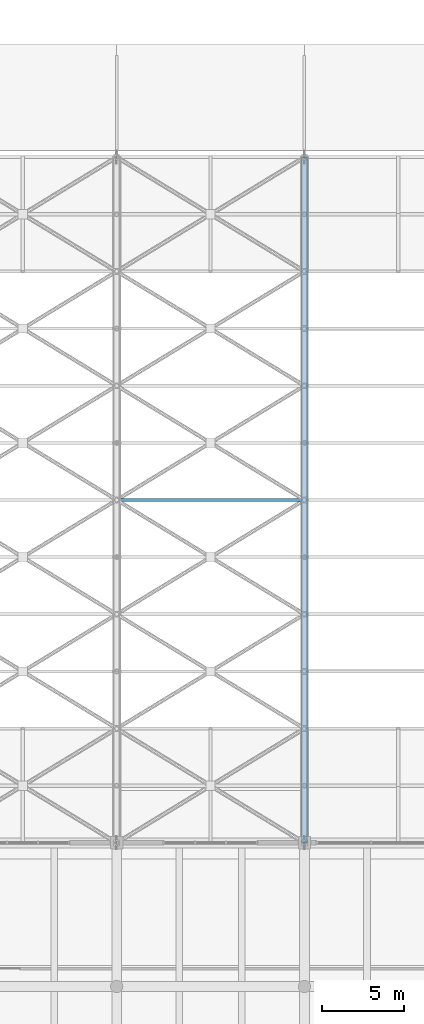
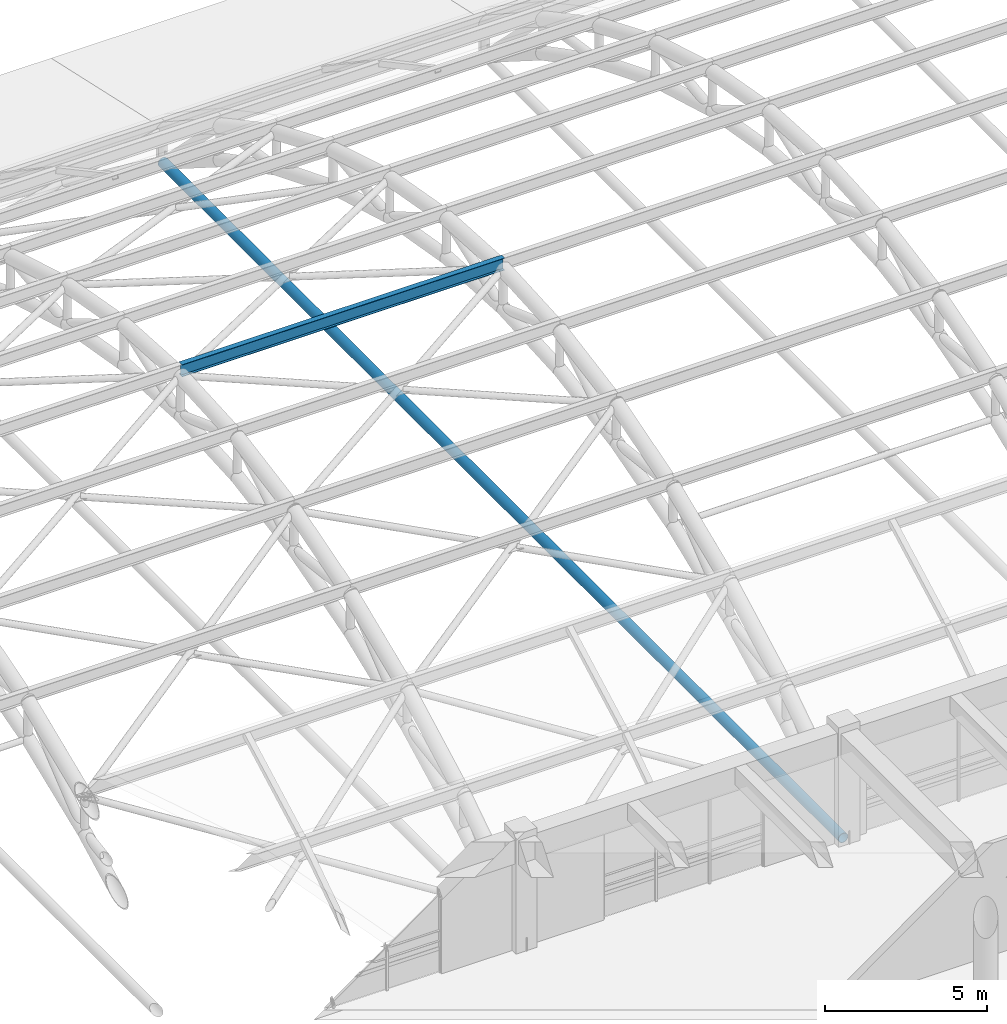
# One storey, part 59 of 154: 2 members.
"""IFC4 building model written with IfcOpenShell, lengths in metres."""

from ifc_helpers import new_model, si_unit, direction, frame, origin, origin_2d, place, context, subcontext, project, spatial, hollow_circle, i_section, extrude, material, material_profile, profile_set, type_object, element, save


model = new_model("IFC4")

# Units and contexts
model_context = context("Model", 3, precision=1e-05, world=origin(), true_north=direction((0.0, 1.0)))
body_context = subcontext(model_context, "Body", "Model", "MODEL_VIEW")
ifc_project = project(units=[si_unit("LENGTHUNIT", "METRE"), si_unit("AREAUNIT", "SQUARE_METRE"), si_unit("VOLUMEUNIT", "CUBIC_METRE"), si_unit("PLANEANGLEUNIT", "RADIAN"), si_unit("MASSUNIT", "GRAM", prefix="KILO")], contexts=[model_context])

# Site, building, storey
site_placement = place(None, origin())
site = spatial("IfcSite", under=ifc_project, at=site_placement, CompositionType="ELEMENT")
building_placement = place(site_placement, origin())
building = spatial("IfcBuilding", under=site, at=building_placement, Name="Ologun Quay Terminus", CompositionType="ELEMENT")
storey_placement = place(building_placement, frame((0.0, 0.0, 13.800048828125)))
storey = spatial("IfcBuildingStorey", under=building, at=storey_placement, Name="L03", CompositionType="ELEMENT", Elevation=13.800048828125)

# Members
ifc_material_1 = material(Name="Steel S355", Category="steel")
ifc_material_profile_1 = material_profile(ifc_material_1, hollow_circle(Radius=0.177734375, WallThickness=0.012451171875, at=origin_2d()), Name="CHS 355.6x12.5")
ifc_profile_set_1 = profile_set([ifc_material_profile_1], Name="Steel S355")
member_type_1 = type_object("IfcMemberType", Name="Arch Horizontal Tie Chord CHS355", PredefinedType="CHORD", material=ifc_profile_set_1)
member_1_placement = place(storey_placement, frame((103.5, 36.0, 0.0), z_axis=(0.0, 1.0, 0.0), x_axis=(-1.0, 0.0, 0.0)))
element("IfcMember", 1, at=member_1_placement, inside=storey, type_object=member_type_1, Name="AT1 Arch Tie Chord Grid 10", PredefinedType="CHORD", context=body_context, shape_type="SweptSolid", body=[
    extrude(hollow_circle(Radius=0.177734375, WallThickness=0.012451171875, at=origin_2d()), origin(), (0.0, 0.0, 1.0), 42.0),
])
ifc_material_2 = material(Name="Steel S355", Category="steel")
ifc_material_profile_2 = material_profile(ifc_material_2, i_section(OverallWidth=0.1904296875, OverallDepth=0.45703125, WebThickness=0.009033203125, FlangeThickness=0.014404296875, at=origin_2d()), Name="UKB 457x191x74")
ifc_profile_set_2 = profile_set([ifc_material_profile_2], Name="Steel S355")
member_type_2 = type_object("IfcMemberType", Name="Train Shed Primary Roof Purlin UKB457", PredefinedType="PURLIN", material=ifc_profile_set_2)
member_2_placement = place(storey_placement, frame((92.0, 57.0, 8.948486328125), z_axis=(1.0, 0.0, 0.0), x_axis=(0.0, 1.0, 0.0)))
element("IfcMember", 2, at=member_2_placement, inside=storey, type_object=member_type_2, Name="PR1 Roof Purlin B9-N6", PredefinedType="PURLIN", context=body_context, shape_type="SweptSolid", body=[
    extrude(i_section(OverallWidth=0.1904296875, OverallDepth=0.45703125, WebThickness=0.009033203125, FlangeThickness=0.014404296875, at=origin_2d()), origin(), (0.0, 0.0, 1.0), 11.5),
])

save(model, "model.ifc")
